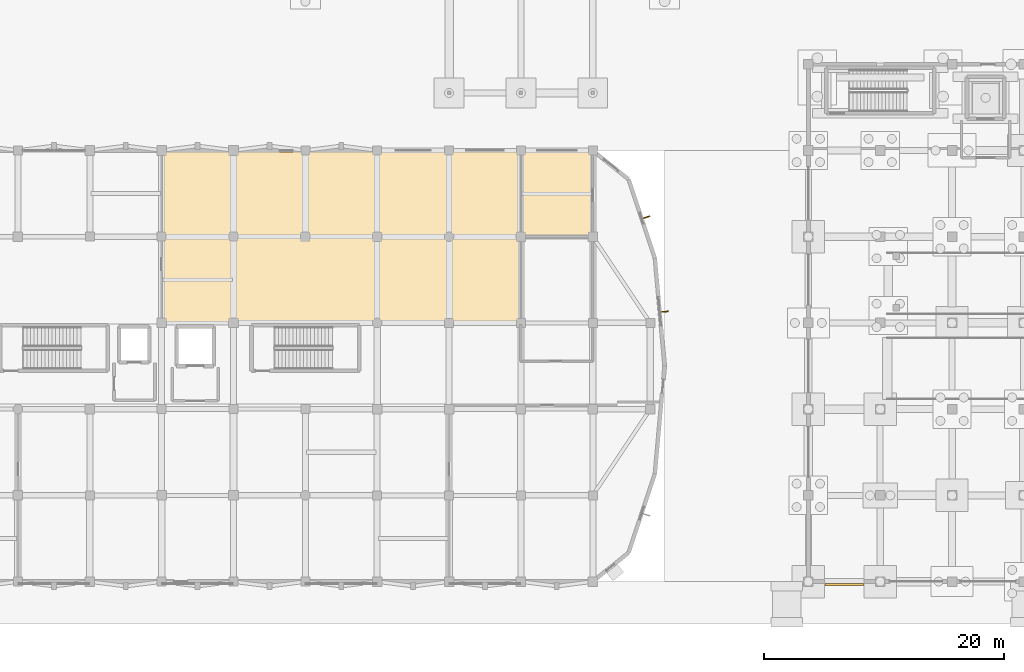
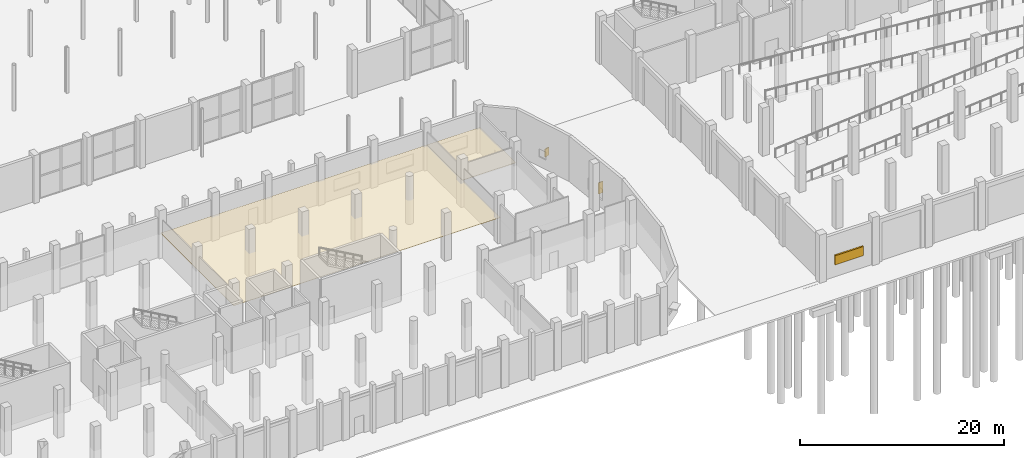
# One storey, part 93 of 103: 3 shading devices, 2 coverings.
"""IFC4 building model written with IfcOpenShell, lengths in metres."""

import ifcopenshell
import ifcopenshell.guid

model = None  # the IFC model being written
_history = None  # IfcOwnerHistory: only IFC2X3 demands one
_inside = {}  # id of a spatial element -> (the spatial element, [elements in it])
_under = {}  # id of a project, library or spatial element -> (it, [spatial elements below it])
_declared = {}  # id of a project -> (the project, [libraries it declares])
_typed = {}  # id of a type object -> (the type object, [elements of that type])
_made_of = {}  # id of a material, layer set ... -> (it, [elements and type objects made of it])


def new_model(schema):
    """Start an empty IFC model of exactly this schema.

    Asked for "IFC4X3", IfcOpenShell would pick the latest addendum, in which some entities
    have other attributes; the version numbers below select the first issue.
    IFC2X3 requires an IfcOwnerHistory on every rooted entity: one is made here for all.
    """
    global model, _history
    if schema == "IFC4X3":
        model = ifcopenshell.file(schema_version=(4, 3, 0, 0))
    else:
        model = ifcopenshell.file(schema=schema)
    _inside.clear()
    _under.clear()
    _declared.clear()
    _typed.clear()
    _made_of.clear()
    _history = None
    if model.schema == "IFC2X3":
        org = make("IfcOrganization", Name="unknown")
        user = make(
            "IfcPersonAndOrganization",
            ThePerson=make("IfcPerson", FamilyName="unknown"),
            TheOrganization=org,
        )
        app = make(
            "IfcApplication",
            ApplicationDeveloper=org,
            Version="unknown",
            ApplicationFullName="unknown",
            ApplicationIdentifier="unknown",
        )
        _history = make(
            "IfcOwnerHistory",
            OwningUser=user,
            OwningApplication=app,
            ChangeAction="ADDED",
            CreationDate=0,
        )
    return model


def make(cls, **values):
    """One entity of the class cls with the attributes given. An attribute that is None is left unset."""
    return model.create_entity(
        cls, **{name: value for name, value in values.items() if value is not None}
    )


def rooted(cls, **values):
    """An entity with a GlobalId (a new one), such as an element, a storey or a relation."""
    return make(cls, GlobalId=ifcopenshell.guid.new(), OwnerHistory=_history, **values)


def si_unit(unit_type, name, prefix=None):
    """IfcSIUnit, for example si_unit("LENGTHUNIT", "METRE", prefix="MILLI")."""
    return make("IfcSIUnit", UnitType=unit_type, Prefix=prefix, Name=name)


def assignment(units):
    """IfcUnitAssignment: the units of a project."""
    return None if units is None else make("IfcUnitAssignment", Units=units)


def point(xyz):
    """IfcCartesianPoint."""
    return None if xyz is None else make("IfcCartesianPoint", Coordinates=xyz)


def direction(xyz):
    """IfcDirection."""
    return None if xyz is None else make("IfcDirection", DirectionRatios=xyz)


def frame(location, z_axis=None, x_axis=None):
    """IfcAxis2Placement3D, a coordinate frame: its origin and axes. An axis left out is left unset."""
    return make(
        "IfcAxis2Placement3D",
        Location=point(location),
        Axis=direction(z_axis),
        RefDirection=direction(x_axis),
    )


def frame_2d(location, x_axis=None):
    """IfcAxis2Placement2D, a coordinate frame in the plane: its origin and x axis."""
    return make(
        "IfcAxis2Placement2D", Location=point(location), RefDirection=direction(x_axis)
    )


def origin():
    """The frame at (0, 0, 0) with its axes left unset."""
    return frame((0.0, 0.0, 0.0))


def origin_2d():
    """The frame at (0, 0) in the plane with its x axis left unset."""
    return frame_2d((0.0, 0.0))


def place(relative_to, where):
    """IfcLocalPlacement: puts the frame where relative to a parent placement (None: the world)."""
    return make(
        "IfcLocalPlacement", PlacementRelTo=relative_to, RelativePlacement=where
    )


def context(
    kind, dimensions, precision=None, world=None, true_north=None, identifier=None
):
    """IfcGeometricRepresentationContext, for example the 3D "Model" context."""
    return make(
        "IfcGeometricRepresentationContext",
        ContextIdentifier=identifier,
        ContextType=kind,
        CoordinateSpaceDimension=dimensions,
        Precision=precision,
        WorldCoordinateSystem=world,
        TrueNorth=true_north,
    )


def subcontext(parent, identifier, kind, view, scale=None):
    """IfcGeometricRepresentationSubContext, for example "Body" below "Model"."""
    return make(
        "IfcGeometricRepresentationSubContext",
        ContextIdentifier=identifier,
        ContextType=kind,
        ParentContext=parent,
        TargetScale=scale,
        TargetView=view,
    )


def project(units=None, contexts=None):
    """IfcProject with its units and contexts."""
    return rooted(
        "IfcProject",
        Name="project",
        RepresentationContexts=contexts,
        UnitsInContext=assignment(units),
    )


def spatial(cls, under=None, at=None, **own):
    """A site, building, storey or space (cls), placed at a placement, below another one or the project."""
    s = rooted(cls, ObjectPlacement=at, **own)
    if under is not None:
        _under.setdefault(under.id(), (under, []))[1].append(s)
    return s


def polyline(points):
    """IfcPolyline through the points."""
    return make("IfcPolyline", Points=[point(p) for p in points])


def profile(cls, at=None, kind="AREA", **sizes):
    """A parametric profile (cls). Its sizes go by their IFC names, for example OverallWidth=200.0."""
    return make(cls, ProfileType=kind, Position=at, **sizes)


def rectangle(**sizes):
    """IfcRectangleProfileDef."""
    return profile("IfcRectangleProfileDef", **sizes)


def outline(outer, holes=None, kind="AREA"):
    """IfcArbitraryClosedProfileDef: a profile drawn as a closed curve; with holes, ...WithVoids."""
    if holes is None:
        return make("IfcArbitraryClosedProfileDef", ProfileType=kind, OuterCurve=outer)
    return make(
        "IfcArbitraryProfileDefWithVoids",
        ProfileType=kind,
        OuterCurve=outer,
        InnerCurves=holes,
    )


def extrude(swept, where, along, depth):
    """IfcExtrudedAreaSolid: the profile swept, set in the frame where, extruded along a direction by depth."""
    return make(
        "IfcExtrudedAreaSolid",
        SweptArea=swept,
        Position=where,
        ExtrudedDirection=direction(along),
        Depth=depth,
    )


def shape(context_of_items, identifier, shape_type, items):
    """IfcShapeRepresentation: the items that make up one representation, for example the "Body"."""
    return make(
        "IfcShapeRepresentation",
        ContextOfItems=context_of_items,
        RepresentationIdentifier=identifier,
        RepresentationType=shape_type,
        Items=items,
    )


def material(Name=None, Category=None):
    """IfcMaterial."""
    return make("IfcMaterial", Name=Name, Category=Category)


def layer(
    of_material, thickness, ventilated=None, Name=None, Category=None, Priority=None
):
    """IfcMaterialLayer: one layer of a wall or slab, of a material (None: an air gap)."""
    return make(
        "IfcMaterialLayer",
        Material=of_material,
        LayerThickness=thickness,
        IsVentilated=ventilated,
        Name=Name,
        Category=Category,
        Priority=Priority,
    )


def layer_set(layers, Name=None):
    """IfcMaterialLayerSet."""
    return make("IfcMaterialLayerSet", MaterialLayers=layers, LayerSetName=Name)


def made_of(thing, what):
    """Note that an element or type object is made of a material, layer set ...; save() writes the relation."""
    if what is not None:
        _made_of.setdefault(what.id(), (what, []))[1].append(thing)
    return thing


def type_object(cls, material=None, **own):
    """A type object (cls), such as IfcWallType, which elements share."""
    return made_of(rooted(cls, **own), material)


def element(
    cls,
    number,
    at=None,
    inside=None,
    cuts=None,
    type_object=None,
    material=None,
    context=None,
    identifier="Body",
    shape_type=None,
    held_by="IfcProductDefinitionShape",
    body=None,
    shapes=None,
    **own,
):
    """One element of the class cls, such as IfcWall. Its Tag is "e" and its number.

    at: its placement. inside: the storey or other place that contains it. cuts: it is an
    opening in that element (IfcRelVoidsElement). A single representation is given by context,
    identifier, shape_type and body (its items); several are given by shapes. held_by: the class
    of the entity that holds the representations. save() writes the other relations.
    """
    e = rooted(cls, Tag="e%d" % number, ObjectPlacement=at, **own)
    if body is not None:
        shapes = [shape(context, identifier, shape_type, body)]
    if shapes is not None:
        e.Representation = make(held_by, Representations=shapes)
    if inside is not None:
        _inside.setdefault(inside.id(), (inside, []))[1].append(e)
    if cuts is not None:
        rooted(
            "IfcRelVoidsElement", RelatingBuildingElement=cuts, RelatedOpeningElement=e
        )
    if type_object is not None:
        _typed.setdefault(type_object.id(), (type_object, []))[1].append(e)
    return made_of(e, material)


def aggregate(whole, parts):
    """IfcRelAggregates: a whole, such as a stair, and the parts it consists of."""
    return rooted("IfcRelAggregates", RelatingObject=whole, RelatedObjects=parts)


def save(model, path):
    """Write the relations noted so far, then the file.

    IfcRelAggregates (storeys below a building ...), IfcRelContainedInSpatialStructure (elements
    in a storey), IfcRelDefinesByType, IfcRelAssociatesMaterial and IfcRelDeclares: one each for
    every whole, place, type object, material and project.
    """
    for whole, parts in _under.values():
        aggregate(whole, parts)
    for where, things in _inside.values():
        rooted(
            "IfcRelContainedInSpatialStructure",
            RelatedElements=things,
            RelatingStructure=where,
        )
    for kind, things in _typed.values():
        rooted("IfcRelDefinesByType", RelatedObjects=things, RelatingType=kind)
    for what, things in _made_of.values():
        rooted("IfcRelAssociatesMaterial", RelatedObjects=things, RelatingMaterial=what)
    for by, libraries in _declared.values():
        rooted("IfcRelDeclares", RelatingContext=by, RelatedDefinitions=libraries)
    model.write(path)


model = new_model("IFC4")

# Units and contexts
model_context = context("Model", 3, precision=1e-05, world=origin(), true_north=direction((0.0, 1.0)))
body_context = subcontext(model_context, "Body", "Model", "MODEL_VIEW")
ifc_project = project(units=[si_unit("LENGTHUNIT", "METRE"), si_unit("AREAUNIT", "SQUARE_METRE"), si_unit("VOLUMEUNIT", "CUBIC_METRE"), si_unit("PLANEANGLEUNIT", "RADIAN"), si_unit("MASSUNIT", "GRAM", prefix="KILO")], contexts=[model_context])

# Site, building, storey
site_placement = place(None, origin())
site = spatial("IfcSite", under=ifc_project, at=site_placement, CompositionType="ELEMENT")
building_placement = place(site_placement, origin())
building = spatial("IfcBuilding", under=site, at=building_placement, Name="Dunvalen Ferry Terminal", CompositionType="ELEMENT")
storey_placement = place(building_placement, origin())
storey = spatial("IfcBuildingStorey", under=building, at=storey_placement, Name="L00", CompositionType="ELEMENT", Elevation=0.0)

# Shading devices
ifc_material_1 = material(Name="Anodised marine aluminium EN AW-6063 T6", Category="aluminium")
ifc_layer_1 = layer(ifc_material_1, 0.080078125, Name="Anodised marine aluminium EN AW-6063 T6")
ifc_layer_set_1 = layer_set([ifc_layer_1], Name="Anodised marine aluminium EN AW-6063 T6")
shading_device_type_1 = type_object("IfcShadingDeviceType", Name="ENV-SHD-FIN01", PredefinedType="USERDEFINED", material=ifc_layer_set_1)
shading_device_1_placement = place(storey_placement, frame((96.02734375, 22.538330078125, 0.949951171875), z_axis=(0.0, 0.0, 1.0), x_axis=(-0.088957034029, 0.996035464277, 0.0)))
element("IfcShadingDevice", 1, at=shading_device_1_placement, inside=storey, type_object=shading_device_type_1, Name="L00 East Solar Fin 003", ObjectType="SOLAR FIN", PredefinedType="USERDEFINED", context=body_context, shape_type="SweptSolid", body=[
    extrude(rectangle(XDim=0.080078125, YDim=0.550048828125, at=origin_2d()), origin(), (0.0, 0.0, 1.0), 1.35009765625),
])
shading_device_2_placement = place(storey_placement, frame((94.507080078125, 30.430419921875, 1.14990234375), z_axis=(0.0, 0.0, 1.0), x_axis=(-0.316232085723, 0.948681858138, 0.0)))
element("IfcShadingDevice", 2, at=shading_device_2_placement, inside=storey, type_object=shading_device_type_1, Name="L00 East Solar Fin 004", ObjectType="SOLAR FIN", PredefinedType="USERDEFINED", context=body_context, shape_type="SweptSolid", body=[
    extrude(rectangle(XDim=0.080078125, YDim=0.550048828125, at=origin_2d()), origin(), (0.0, 0.0, 1.0), 0.949951171875),
])
ifc_layer_2 = layer(ifc_material_1, 1.10009765625, Name="Anodised marine aluminium EN AW-6063 T6")
ifc_layer_set_2 = layer_set([ifc_layer_2], Name="Anodised marine aluminium EN AW-6063 T6")
shading_device_type_2 = type_object("IfcShadingDeviceType", Name="ENV-SHD-JAL01", PredefinedType="JALOUSIE", material=ifc_layer_set_2)
shading_device_3_placement = place(storey_placement, frame((111.0, -0.25, 1.550048828125), z_axis=(0.0, 0.0, 1.0), x_axis=(1.0, 0.0, 0.0)))
element("IfcShadingDevice", 3, at=shading_device_3_placement, inside=storey, type_object=shading_device_type_2, Name="L00 Vehicle Deck Exhaust Louvre 01", PredefinedType="JALOUSIE", context=body_context, shape_type="SweptSolid", body=[
    extrude(rectangle(XDim=3.199951171875, YDim=0.179931640625, at=origin_2d()), origin(), (0.0, 0.0, 1.0), 1.10009765625),
])

# Coverings
ifc_material_2 = material(Name="Perforated marine aluminium acoustic baffle ceiling", Category="aluminium")
ifc_layer_3 = layer(ifc_material_2, 0.0400390625, Name="Perforated marine aluminium acoustic baffle ceiling")
ifc_layer_set_3 = layer_set([ifc_layer_3], Name="Perforated marine aluminium acoustic baffle ceiling")
covering_type = type_object("IfcCoveringType", Name="INT-COV-CLG01", PredefinedType="CEILING", material=ifc_layer_set_3)
covering_1_placement = place(storey_placement, frame((0.0, 0.0, 2.81005859375)))
element("IfcCovering", 4, at=covering_1_placement, inside=storey, type_object=covering_type, Name="L00 Ferry Crew Briefing and Muster Suite Acoustic Suspended Ceiling", PredefinedType="CEILING", context=body_context, shape_type="SweptSolid", body=[
    extrude(outline(polyline([(53.909912109375, 35.8701171875), (53.909912109375, 21.510009765625), (84.090087890625, 21.510009765625), (84.090087890625, 35.8701171875), (53.909912109375, 35.8701171875)])), origin(), (0.0, 0.0, 1.0), 0.0400390625),
])
covering_2_placement = place(storey_placement, frame((0.0, 0.0, 2.81005859375)))
element("IfcCovering", 5, at=covering_2_placement, inside=storey, type_object=covering_type, Name="L00 Maritime Wing Accessible WC Acoustic Suspended Ceiling", PredefinedType="CEILING", context=body_context, shape_type="SweptSolid", body=[
    extrude(outline(polyline([(84.070068359375, 35.8701171875), (84.070068359375, 28.8701171875), (90.090087890625, 28.8701171875), (90.090087890625, 35.7607421875), (89.9541015625, 35.8701171875), (84.070068359375, 35.8701171875)])), origin(), (0.0, 0.0, 1.0), 0.0400390625),
])

save(model, "model.ifc")
